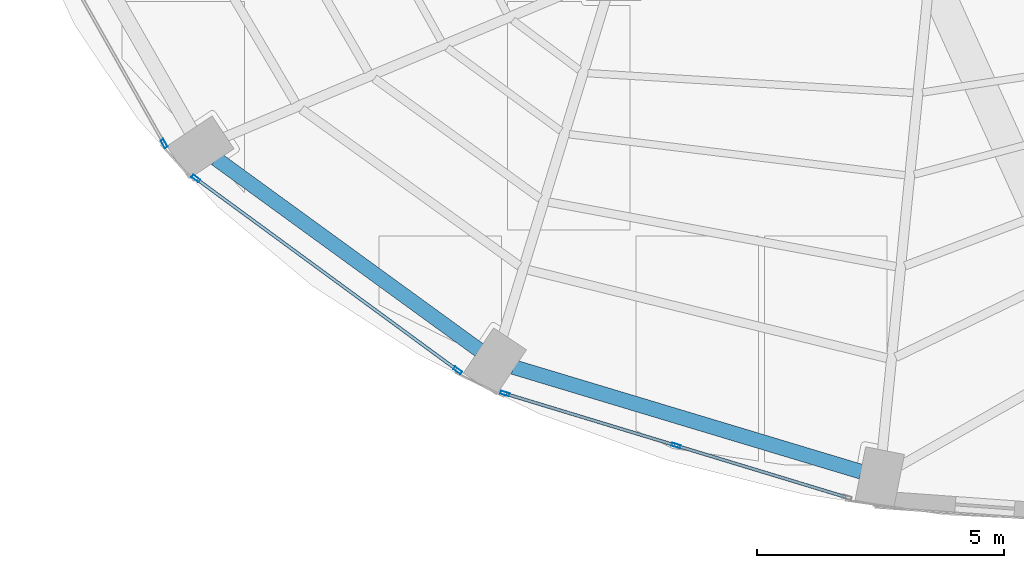
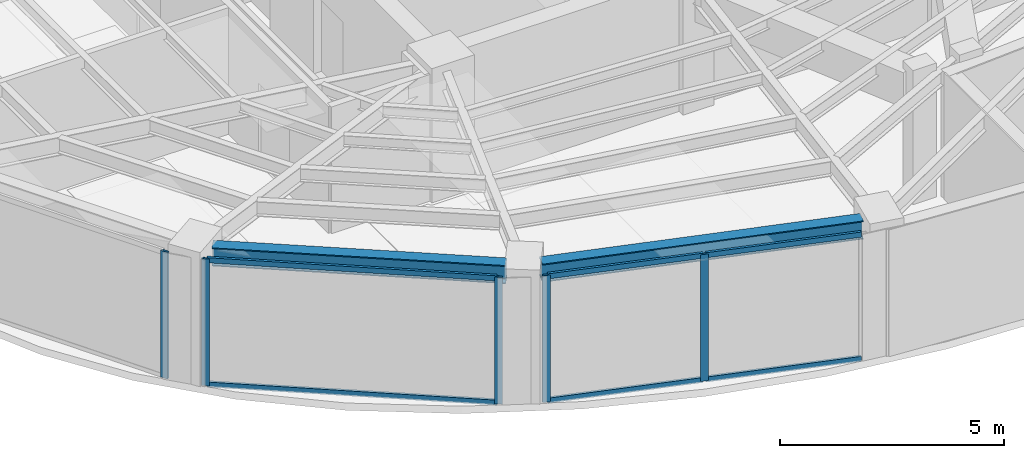
# One storey, part 2 of 22: 11 members, 2 beams, 3 elements without a shape of their own.
"""IFC4 building model written with IfcOpenShell, lengths in metres."""

from ifc_helpers import new_model, si_unit, direction, frame, origin, origin_2d, place, context, subcontext, project, spatial, hollow_rectangle, i_section, extrude, material, layer, layer_set, material_profile, profile_set, type_object, element, aggregate, save


model = new_model("IFC4")

# Units and contexts
model_context = context("Model", 3, precision=1e-05, world=origin(), true_north=direction((0.0, 1.0)))
body_context = subcontext(model_context, "Body", "Model", "MODEL_VIEW")
ifc_project = project(units=[si_unit("LENGTHUNIT", "METRE"), si_unit("AREAUNIT", "SQUARE_METRE"), si_unit("VOLUMEUNIT", "CUBIC_METRE"), si_unit("PLANEANGLEUNIT", "RADIAN"), si_unit("MASSUNIT", "GRAM", prefix="KILO")], contexts=[model_context])

# Site, building, storey
site_placement = place(None, origin())
site = spatial("IfcSite", under=ifc_project, at=site_placement, CompositionType="ELEMENT")
building_placement = place(site_placement, origin())
building = spatial("IfcBuilding", under=site, at=building_placement, Name="Lazwardi Medical Tower", CompositionType="ELEMENT")
storey_placement = place(building_placement, frame((0.0, 0.0, 238.60791015625)))
storey = spatial("IfcBuildingStorey", under=building, at=storey_placement, Name="L62", CompositionType="ELEMENT", Elevation=238.60791015625)

# Beams
ifc_material_1 = material(Name="Steel S355", Category="steel")
ifc_material_profile_1 = material_profile(ifc_material_1, i_section(OverallWidth=0.300048828125, OverallDepth=0.5, WebThickness=0.014404296875, FlangeThickness=0.028076171875, at=origin_2d()), Name="HEB 500")
ifc_profile_set_1 = profile_set([ifc_material_profile_1], Name="Steel S355")
beam_type = type_object("IfcBeamType", Name="BM-RB-Z4", PredefinedType="BEAM", material=ifc_profile_set_1)
beam_1_placement = place(storey_placement, frame((18.355712890625, 16.648193359375, 3.197998046875), z_axis=(0.808889916254, -0.587960120571, 0.0), x_axis=(0.587960120571, 0.808889916254, 0.0)))
element("IfcBeam", 1, at=beam_1_placement, inside=storey, type_object=beam_type, Name="Ring beam RB-05 B14 L62", PredefinedType="BEAM", context=body_context, shape_type="SweptSolid", body=[
    extrude(i_section(OverallWidth=0.300048828125, OverallDepth=0.5, WebThickness=0.014404296875, FlangeThickness=0.028076171875, at=origin_2d()), origin(), (0.0, 0.0, 1.0), 6.587158203125),
])
beam_2_placement = place(storey_placement, frame((24.373046875, 12.43359375, 3.197998046875), z_axis=(0.957544311906, -0.288286126506, 0.0), x_axis=(0.288286126506, 0.957544311906, 0.0)))
element("IfcBeam", 2, at=beam_2_placement, inside=storey, type_object=beam_type, Name="Ring beam RB-05 B15 L62", PredefinedType="BEAM", context=body_context, shape_type="SweptSolid", body=[
    extrude(i_section(OverallWidth=0.300048828125, OverallDepth=0.5, WebThickness=0.014404296875, FlangeThickness=0.028076171875, at=origin_2d()), origin(), (0.0, 0.0, 1.0), 7.3515625),
])

# Curtain wall, member
ifc_material_2 = material(Name="Anodised bronze aluminium and solar control glazing", Category="aluminium")
ifc_layer = layer(ifc_material_2, 0.18994140625)
ifc_layer_set = layer_set([ifc_layer], Name="Anodised bronze aluminium and solar control glazing")
curtain_wall_type = type_object("IfcCurtainWallType", Name="CW-SYS-04", PredefinedType="NOTDEFINED", material=ifc_layer_set)
curtain_wall_1_placement = place(storey_placement, origin())
curtain_wall_1 = element("IfcCurtainWall", 3, at=curtain_wall_1_placement, inside=storey, type_object=curtain_wall_type, Name="L62 Unitised bronze curtain wall CW-04", PredefinedType="NOTDEFINED")
ifc_material_3 = material(Name="Anodised bronze aluminium", Category="aluminium")
ifc_material_profile_2 = material_profile(ifc_material_3, hollow_rectangle(XDim=0.06494140625, YDim=0.179931640625, WallThickness=0.00390625, at=origin_2d()), Name="ALU-MULLION 180x65x4")
ifc_profile_set_2 = profile_set([ifc_material_profile_2], Name="Anodised bronze aluminium")
member_type_1 = type_object("IfcMemberType", Name="CW-MUL-03", PredefinedType="MULLION", material=ifc_profile_set_2)
member_1_placement = place(storey_placement, frame((17.3056640625, 16.95458984375, 0.0), z_axis=(0.0, 0.0, 1.0), x_axis=(0.870651436011, 0.491900474661, 0.0)))
member_1 = element("IfcMember", 4, at=member_1_placement, type_object=member_type_1, Name="CW-04 mullion 2", PredefinedType="MULLION", context=body_context, shape_type="SweptSolid", body=[
    extrude(hollow_rectangle(XDim=0.06494140625, YDim=0.179931640625, WallThickness=0.00390625, at=origin_2d()), origin(), (0.0, 0.0, 1.0), 3.447998046875),
])
aggregate(curtain_wall_1, [member_1])

# Curtain wall, members
curtain_wall_2_placement = place(storey_placement, origin())
curtain_wall_2 = element("IfcCurtainWall", 5, at=curtain_wall_2_placement, inside=storey, type_object=curtain_wall_type, Name="L62 Unitised bronze curtain wall CW-04", PredefinedType="NOTDEFINED")
member_2_placement = place(storey_placement, frame((17.947998046875, 16.248291015625, 0.0), z_axis=(0.0, 0.0, 1.0), x_axis=(0.591268230971, 0.806474971121, 0.0)))
member_2 = element("IfcMember", 6, at=member_2_placement, type_object=member_type_1, Name="CW-04 mullion 1", PredefinedType="MULLION", context=body_context, shape_type="SweptSolid", body=[
    extrude(hollow_rectangle(XDim=0.06494140625, YDim=0.179931640625, WallThickness=0.00390625, at=origin_2d()), origin(), (0.0, 0.0, 1.0), 3.447998046875),
])
member_3_placement = place(storey_placement, frame((23.24462890625, 12.365234375, 0.0), z_axis=(0.0, 0.0, 1.0), x_axis=(0.591268230971, 0.806474971121, 0.0)))
member_3 = element("IfcMember", 7, at=member_3_placement, type_object=member_type_1, Name="CW-04 mullion 2", PredefinedType="MULLION", context=body_context, shape_type="SweptSolid", body=[
    extrude(hollow_rectangle(XDim=0.06494140625, YDim=0.179931640625, WallThickness=0.00390625, at=origin_2d()), origin(), (0.0, 0.0, 1.0), 3.447998046875),
])

curtain_wall_3_placement = place(storey_placement, origin())
curtain_wall_3 = element("IfcCurtainWall", 8, at=curtain_wall_3_placement, inside=storey, type_object=curtain_wall_type, Name="L62 Unitised bronze curtain wall CW-04", PredefinedType="NOTDEFINED")
member_4_placement = place(storey_placement, frame((24.2001953125, 11.896484375, 0.0), z_axis=(0.0, 0.0, 1.0), x_axis=(0.290581889515, 0.956850126972, 0.0)))
member_4 = element("IfcMember", 9, at=member_4_placement, type_object=member_type_1, Name="CW-04 mullion 1", PredefinedType="MULLION", context=body_context, shape_type="SweptSolid", body=[
    extrude(hollow_rectangle(XDim=0.06494140625, YDim=0.179931640625, WallThickness=0.00390625, at=origin_2d()), origin(), (0.0, 0.0, 1.0), 3.447998046875),
])
member_5_placement = place(storey_placement, frame((27.66357421875, 10.8447265625, 0.0), z_axis=(0.0, 0.0, 1.0), x_axis=(0.290581889515, 0.956850126972, 0.0)))
member_5 = element("IfcMember", 10, at=member_5_placement, type_object=member_type_1, Name="CW-04 mullion 2", PredefinedType="MULLION", context=body_context, shape_type="SweptSolid", body=[
    extrude(hollow_rectangle(XDim=0.06494140625, YDim=0.179931640625, WallThickness=0.00390625, at=origin_2d()), origin(), (0.0, 0.0, 1.0), 3.447998046875),
])

# Member
ifc_material_profile_3 = material_profile(ifc_material_3, hollow_rectangle(XDim=0.06494140625, YDim=0.139892578125, WallThickness=0.00341796875, at=origin_2d()), Name="ALU-TRANSOM 140x65x3.5")
ifc_profile_set_3 = profile_set([ifc_material_profile_3], Name="Anodised bronze aluminium")
member_type_2 = type_object("IfcMemberType", Name="CW-TRN-03", PredefinedType="USERDEFINED", material=ifc_profile_set_3)
member_6_placement = place(storey_placement, frame((17.97412109375, 16.229248046875, 0.032470703125), z_axis=(0.806471831148, -0.591272513791, 0.0), x_axis=(0.591272513791, 0.806471831148, 0.0)))
member_6 = element("IfcMember", 11, at=member_6_placement, type_object=member_type_2, Name="CW-04 transom 1.1", ObjectType="TRANSOM", PredefinedType="USERDEFINED", context=body_context, shape_type="SweptSolid", body=[
    extrude(hollow_rectangle(XDim=0.06494140625, YDim=0.139892578125, WallThickness=0.00341796875, at=origin_2d()), origin(), (0.0, 0.0, 1.0), 6.5029296875),
])

member_7_placement = place(storey_placement, frame((17.97412109375, 16.229248046875, 3.41552734375), z_axis=(0.806471831148, -0.591272513791, 0.0), x_axis=(0.591272513791, 0.806471831148, 0.0)))
member_7 = element("IfcMember", 12, at=member_7_placement, type_object=member_type_2, Name="CW-04 transom 1.2", ObjectType="TRANSOM", PredefinedType="USERDEFINED", context=body_context, shape_type="SweptSolid", body=[
    extrude(hollow_rectangle(XDim=0.06494140625, YDim=0.139892578125, WallThickness=0.00341796875, at=origin_2d()), origin(), (0.0, 0.0, 1.0), 6.5029296875),
])

aggregate(curtain_wall_2, [member_2, member_3, member_6, member_7])

member_8_placement = place(storey_placement, frame((24.2314453125, 11.886962890625, 0.032470703125), z_axis=(0.956862505902, -0.290541124109, 0.0), x_axis=(0.290541124109, 0.956862505902, 0.0)))
member_8 = element("IfcMember", 13, at=member_8_placement, type_object=member_type_2, Name="CW-04 transom 1.1", ObjectType="TRANSOM", PredefinedType="USERDEFINED", context=body_context, shape_type="SweptSolid", body=[
    extrude(hollow_rectangle(XDim=0.06494140625, YDim=0.139892578125, WallThickness=0.00341796875, at=origin_2d()), origin(), (0.0, 0.0, 1.0), 3.554443359375),
])

member_9_placement = place(storey_placement, frame((24.2314453125, 11.886962890625, 3.41552734375), z_axis=(0.956862505902, -0.290541124109, 0.0), x_axis=(0.290541124109, 0.956862505902, 0.0)))
member_9 = element("IfcMember", 14, at=member_9_placement, type_object=member_type_2, Name="CW-04 transom 1.2", ObjectType="TRANSOM", PredefinedType="USERDEFINED", context=body_context, shape_type="SweptSolid", body=[
    extrude(hollow_rectangle(XDim=0.06494140625, YDim=0.139892578125, WallThickness=0.00341796875, at=origin_2d()), origin(), (0.0, 0.0, 1.0), 3.554443359375),
])

member_10_placement = place(storey_placement, frame((27.694580078125, 10.835205078125, 0.032470703125), z_axis=(0.956862505902, -0.290541124109, 0.0), x_axis=(0.290541124109, 0.956862505902, 0.0)))
member_10 = element("IfcMember", 15, at=member_10_placement, type_object=member_type_2, Name="CW-04 transom 2.1", ObjectType="TRANSOM", PredefinedType="USERDEFINED", context=body_context, shape_type="SweptSolid", body=[
    extrude(hollow_rectangle(XDim=0.06494140625, YDim=0.139892578125, WallThickness=0.00341796875, at=origin_2d()), origin(), (0.0, 0.0, 1.0), 3.554443359375),
])

member_11_placement = place(storey_placement, frame((27.694580078125, 10.835205078125, 3.41552734375), z_axis=(0.956862505902, -0.290541124109, 0.0), x_axis=(0.290541124109, 0.956862505902, 0.0)))
member_11 = element("IfcMember", 16, at=member_11_placement, type_object=member_type_2, Name="CW-04 transom 2.2", ObjectType="TRANSOM", PredefinedType="USERDEFINED", context=body_context, shape_type="SweptSolid", body=[
    extrude(hollow_rectangle(XDim=0.06494140625, YDim=0.139892578125, WallThickness=0.00341796875, at=origin_2d()), origin(), (0.0, 0.0, 1.0), 3.554443359375),
])

aggregate(curtain_wall_3, [member_4, member_5, member_8, member_9, member_10, member_11])

save(model, "model.ifc")
